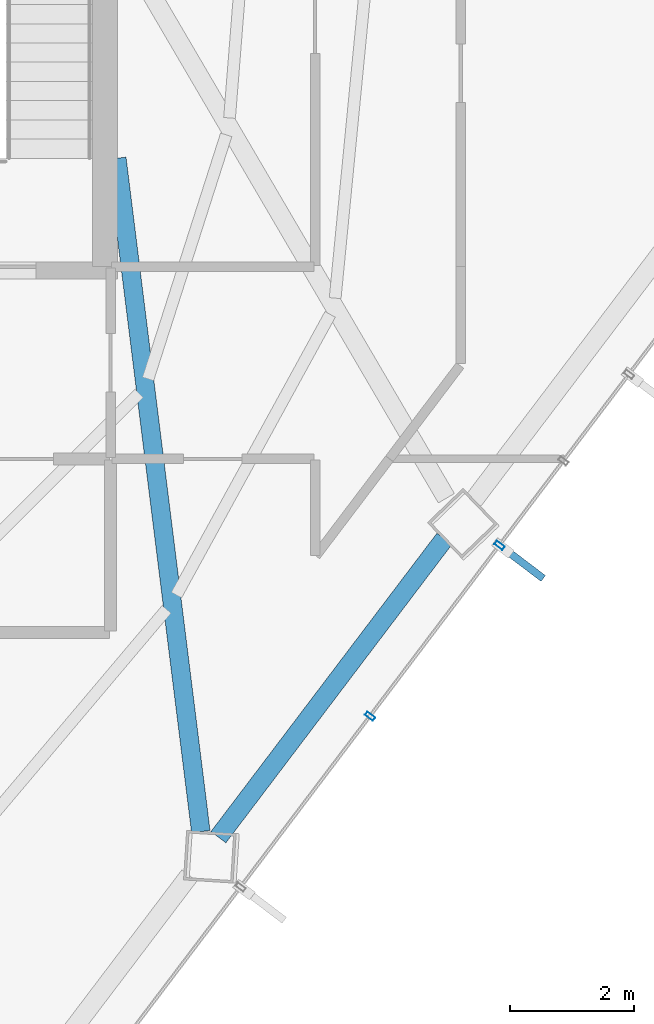
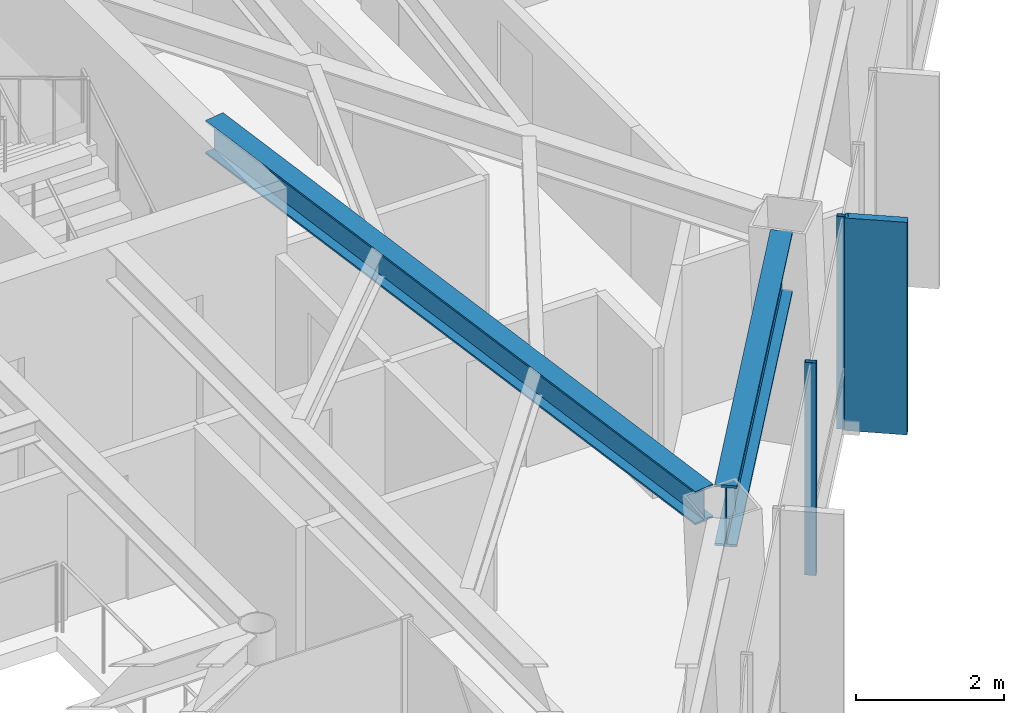
# One storey, part 19 of 30: 3 members, 2 beams, 1 element without a shape of its own.
"""IFC4 building model written with IfcOpenShell, lengths in metres."""

from ifc_helpers import new_model, si_unit, direction, frame, origin, origin_2d, place, context, subcontext, project, spatial, rectangle, hollow_rectangle, i_section, extrude, material, layer, layer_set, material_profile, profile_set, type_object, element, aggregate, save


model = new_model("IFC4")

# Units and contexts
model_context = context("Model", 3, precision=1e-05, world=origin(), true_north=direction((0.0, 1.0)))
body_context = subcontext(model_context, "Body", "Model", "MODEL_VIEW")
ifc_project = project(units=[si_unit("LENGTHUNIT", "METRE"), si_unit("AREAUNIT", "SQUARE_METRE"), si_unit("VOLUMEUNIT", "CUBIC_METRE"), si_unit("PLANEANGLEUNIT", "RADIAN"), si_unit("MASSUNIT", "GRAM", prefix="KILO")], contexts=[model_context])

# Site, building, storey
site_placement = place(None, origin())
site = spatial("IfcSite", under=ifc_project, at=site_placement, CompositionType="ELEMENT")
building_placement = place(site_placement, origin())
building = spatial("IfcBuilding", under=site, at=building_placement, Name="Zarrinselat Tower", CompositionType="ELEMENT")
storey_placement = place(building_placement, frame((0.0, 0.0, 160.820068359375)))
storey = spatial("IfcBuildingStorey", under=building, at=storey_placement, Name="L39", CompositionType="ELEMENT", Elevation=160.820068359375)

# Beams
ifc_material_1 = material(Name="Steel S355J2", Category="steel")
ifc_material_profile_1 = material_profile(ifc_material_1, i_section(OverallWidth=0.300048828125, OverallDepth=0.550048828125, WebThickness=0.014892578125, FlangeThickness=0.029052734375, at=origin_2d()), Name="HEB 550")
ifc_profile_set_1 = profile_set([ifc_material_profile_1], Name="Steel S355J2")
beam_type_1 = type_object("IfcBeamType", Name="BM-HEB550", PredefinedType="BEAM", material=ifc_profile_set_1)
beam_1_placement = place(storey_placement, frame((48.449951171875, 35.0, 3.224853515625), z_axis=(0.123771281237, -0.992310772864, 0.0), x_axis=(0.992310772864, 0.123771281237, 0.0)))
element("IfcBeam", 1, at=beam_1_placement, inside=storey, type_object=beam_type_1, Name="L39 Radial Primary Girder RG12", PredefinedType="BEAM", context=body_context, shape_type="SweptSolid", body=[
    extrude(i_section(OverallWidth=0.300048828125, OverallDepth=0.550048828125, WebThickness=0.014892578125, FlangeThickness=0.029052734375, at=origin_2d()), origin(), (0.0, 0.0, 1.0), 10.949462890625),
])
ifc_material_2 = material(Name="Steel S460M", Category="steel")
ifc_material_profile_2 = material_profile(ifc_material_2, i_section(OverallWidth=0.302001953125, OverallDepth=1.008056640625, WebThickness=0.02099609375, FlangeThickness=0.0400390625, at=origin_2d()), Name="HEM 1000")
ifc_profile_set_2 = profile_set([ifc_material_profile_2], Name="Steel S460M")
beam_type_2 = type_object("IfcBeamType", Name="BM-HEM1000", PredefinedType="BEAM", material=ifc_profile_set_2)
beam_2_placement = place(storey_placement, frame((50.08935546875, 24.045166015625, 2.995849609375), z_axis=(0.603860801194, 0.79708978966, 0.0), x_axis=(-0.79708978966, 0.603860801194, 0.0)))
element("IfcBeam", 2, at=beam_2_placement, inside=storey, type_object=beam_type_2, Name="L39 Perimeter Spandrel Girder SP12", PredefinedType="BEAM", context=body_context, shape_type="SweptSolid", body=[
    extrude(i_section(OverallWidth=0.302001953125, OverallDepth=1.008056640625, WebThickness=0.02099609375, FlangeThickness=0.0400390625, at=origin_2d()), origin(), (0.0, 0.0, 1.0), 6.039306640625),
])

# Curtain wall, members
ifc_material_3 = material(Name="Extruded Aluminium Alloy EN AW-6063 T6", Category="aluminium")
ifc_layer = layer(ifc_material_3, 0.175048828125)
ifc_layer_set = layer_set([ifc_layer], Name="Extruded Aluminium Alloy EN AW-6063 T6")
curtain_wall_type = type_object("IfcCurtainWallType", Name="CWS-HTL", PredefinedType="NOTDEFINED", material=ifc_layer_set)
curtain_wall_placement = place(storey_placement, origin())
curtain_wall = element("IfcCurtainWall", 3, at=curtain_wall_placement, inside=storey, type_object=curtain_wall_type, Name="L39 Unitised Curtain Wall CW-L39-E05", PredefinedType="NOTDEFINED")
ifc_material_4 = material(Name="Extruded Aluminium Alloy EN AW-6063 T6", Category="aluminium")
ifc_material_profile_3 = material_profile(ifc_material_4, hollow_rectangle(XDim=0.070068359375, YDim=0.159912109375, WallThickness=0.00390625, at=origin_2d()), Name="RHS 160x70x4")
ifc_profile_set_3 = profile_set([ifc_material_profile_3], Name="Extruded Aluminium Alloy EN AW-6063 T6")
member_type_1 = type_object("IfcMemberType", Name="MEM-CW-MUL2", PredefinedType="MULLION", material=ifc_profile_set_3)
member_1_placement = place(storey_placement, frame((54.625732421875, 28.754638671875, 0.0), z_axis=(0.0, 0.0, 1.0), x_axis=(-0.603858522722, -0.797091515785, 0.0)))
member_1 = element("IfcMember", 4, at=member_1_placement, type_object=member_type_1, Name="CW-L39-E05 Mullion 5", PredefinedType="MULLION", context=body_context, shape_type="SweptSolid", body=[
    extrude(hollow_rectangle(XDim=0.070068359375, YDim=0.159912109375, WallThickness=0.00390625, at=origin_2d()), origin(), (0.0, 0.0, 1.0), 3.5),
])
member_2_placement = place(storey_placement, frame((52.536376953125, 25.996826171875, 0.0), z_axis=(0.0, 0.0, 1.0), x_axis=(-0.603858522722, -0.797091515785, 0.0)))
member_2 = element("IfcMember", 5, at=member_2_placement, type_object=member_type_1, Name="CW-L39-E05 Mullion 6", PredefinedType="MULLION", context=body_context, shape_type="SweptSolid", body=[
    extrude(hollow_rectangle(XDim=0.070068359375, YDim=0.159912109375, WallThickness=0.00390625, at=origin_2d()), origin(), (0.0, 0.0, 1.0), 3.5),
])
ifc_material_5 = material(Name="Honed Cream Travertine Stone", Category="masonry")
ifc_material_profile_4 = material_profile(ifc_material_5, rectangle(XDim=0.1201171875, YDim=0.85009765625, at=origin_2d()), Name="FIN 850x120")
ifc_profile_set_4 = profile_set([ifc_material_profile_4], Name="Honed Cream Travertine Stone")
member_type_2 = type_object("IfcMemberType", Name="MEM-STONE-FIN", PredefinedType="USERDEFINED", material=ifc_profile_set_4)
member_3_placement = place(storey_placement, frame((54.992431640625, 28.476806640625, 0.0), z_axis=(0.0, 0.0, 1.0), x_axis=(-0.603858522722, -0.797091515785, 0.0)))
member_3 = element("IfcMember", 6, at=member_3_placement, type_object=member_type_2, Name="L39 Stone Shading Fin CW-L39-E05-05", ObjectType="FIN", PredefinedType="USERDEFINED", context=body_context, shape_type="SweptSolid", body=[
    extrude(rectangle(XDim=0.1201171875, YDim=0.85009765625, at=origin_2d()), origin(), (0.0, 0.0, 1.0), 3.5),
])
aggregate(curtain_wall, [member_1, member_3, member_2])

save(model, "model.ifc")
